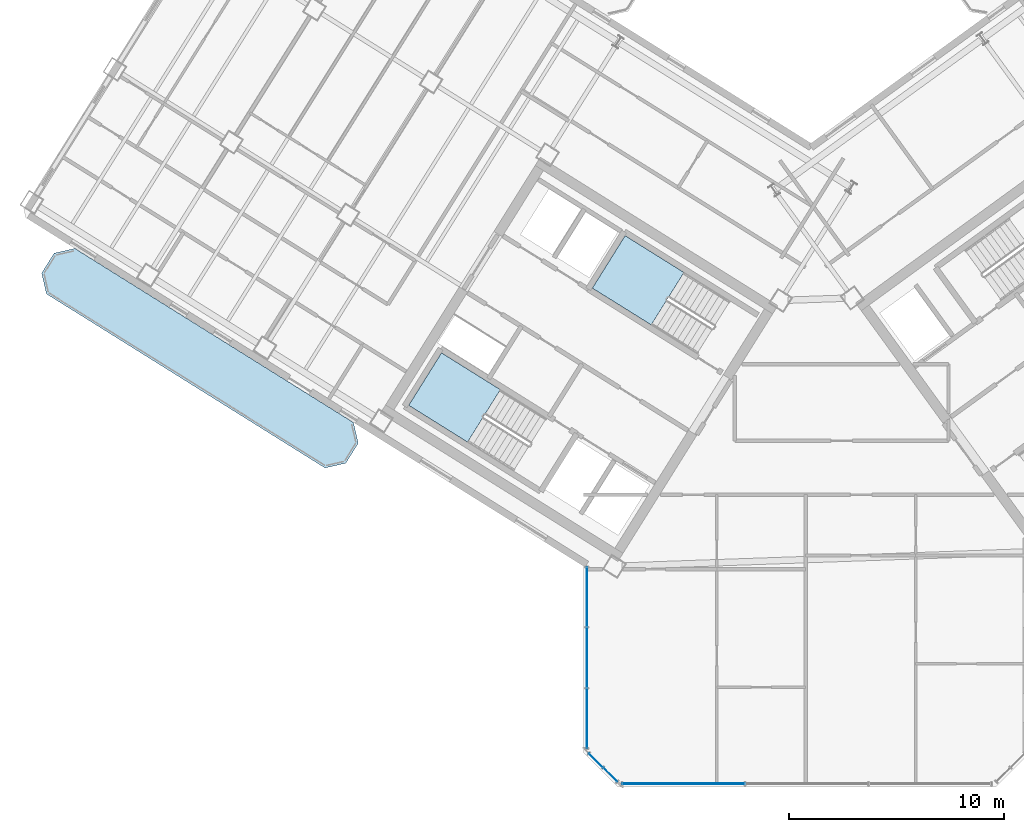
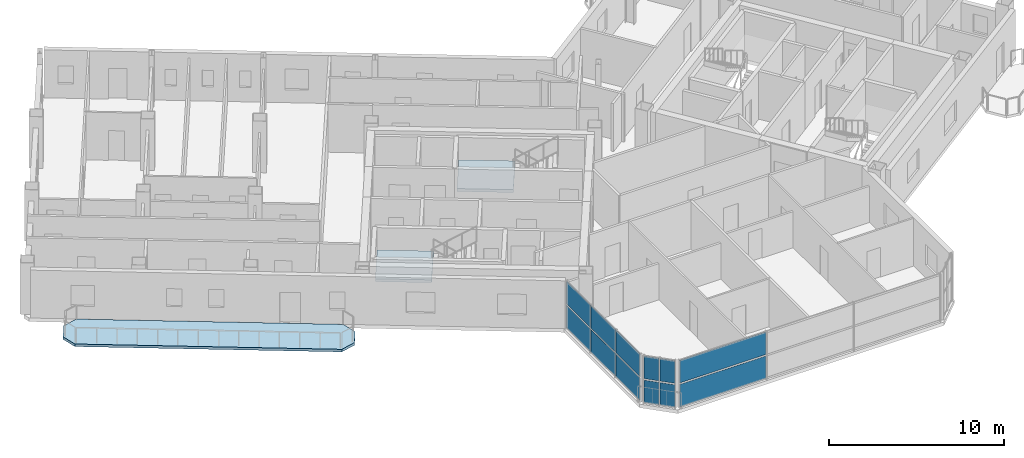
# One storey, part 8 of 20: 12 plates, 3 slabs, 5 elements without a shape of their own.
"""IFC4 building model written with IfcOpenShell, lengths in metres."""

from ifc_helpers import new_model, si_unit, direction, frame, origin, origin_2d, place, context, subcontext, project, spatial, polyline, rectangle, outline, extrude, source, transform, mapped, material, layer, layer_set, type_object, element, aggregate, save


model = new_model("IFC4")

# Units and contexts
model_context = context("Model", 3, precision=1e-05, world=origin(), true_north=direction((0.0, 1.0)))
body_context = subcontext(model_context, "Body", "Model", "MODEL_VIEW")
ifc_project = project(units=[si_unit("LENGTHUNIT", "METRE"), si_unit("AREAUNIT", "SQUARE_METRE"), si_unit("VOLUMEUNIT", "CUBIC_METRE"), si_unit("PLANEANGLEUNIT", "RADIAN"), si_unit("MASSUNIT", "GRAM", prefix="KILO")], contexts=[model_context])

# Site, building, storey
site_placement = place(None, origin())
site = spatial("IfcSite", under=ifc_project, at=site_placement, CompositionType="ELEMENT")
building_placement = place(site_placement, origin())
building = spatial("IfcBuilding", under=site, at=building_placement, Name="Tlacorven Tower", CompositionType="ELEMENT")
storey_placement = place(building_placement, frame((0.0, 0.0, 225.60009765625)))
storey = spatial("IfcBuildingStorey", under=building, at=storey_placement, Name="L57", CompositionType="ELEMENT", Elevation=225.60009765625)

# Slab
ifc_material_1 = material(Name="Precast concrete C45/55", Category="concrete")
ifc_layer_1 = layer(ifc_material_1, 0.179931640625)
ifc_layer_set_1 = layer_set([ifc_layer_1], Name="Precast concrete C45/55")
slab_type_1 = type_object("IfcSlabType", Name="SL-BAL-180", PredefinedType="USERDEFINED", material=ifc_layer_set_1)
slab_1_placement = place(storey_placement, frame((0.0, 0.0, -0.18017578125)))
element("IfcSlab", 1, at=slab_1_placement, inside=storey, type_object=slab_type_1, Name="L57 West Wing Balcony Ribbon OUT", ObjectType="BALCONY SLAB", PredefinedType="USERDEFINED", context=body_context, shape_type="SweptSolid", body=[
    extrude(outline(polyline([(20.88671875, 18.78271484375), (7.91162109375, 26.890625), (6.947021484375, 26.66796875), (6.366943359375, 25.7392578125), (6.589599609375, 24.774658203125), (19.564697265625, 16.6669921875), (20.529296875, 16.8896484375), (21.109375, 17.818115234375), (20.88671875, 18.78271484375)])), origin(), (0.0, 0.0, 1.0), 0.18017578125),
])

# Stair, slab
ifc_material_2 = material(Name="Concrete C40/50", Category="concrete")
stair_type = type_object("IfcStairType", Name="ST-CORE-DLG", PredefinedType="HALF_TURN_STAIR", material=ifc_material_2)
stair_1_placement = place(storey_placement, origin())
stair_1 = element("IfcStair", 2, at=stair_1_placement, inside=storey, type_object=stair_type, Name="L57 Protected Exit Stair West 1", PredefinedType="HALF_TURN_STAIR")
ifc_layer_2 = layer(ifc_material_2, 0.199951171875)
ifc_layer_set_2 = layer_set([ifc_layer_2], Name="Concrete C40/50")
slab_type_2 = type_object("IfcSlabType", Name="SL-LND-200", PredefinedType="LANDING", material=ifc_layer_set_2)
slab_2_placement = place(storey_placement, frame((0.0, 0.0, 1.599853515625)))
slab_2 = element("IfcSlab", 3, at=slab_2_placement, type_object=slab_type_2, Name="ST-W1 landing 1", PredefinedType="LANDING", context=body_context, shape_type="SweptSolid", body=[
    extrude(outline(polyline([(27.728515625, 20.315185546875), (24.9892578125, 22.02685546875), (23.463134765625, 19.58447265625), (26.2021484375, 17.872802734375), (27.728515625, 20.315185546875)])), origin(), (0.0, 0.0, 1.0), 0.199951171875),
])
aggregate(stair_1, [slab_2])

stair_2_placement = place(storey_placement, origin())
stair_2 = element("IfcStair", 4, at=stair_2_placement, inside=storey, type_object=stair_type, Name="L57 Protected Exit Stair West 2", PredefinedType="HALF_TURN_STAIR")
slab_3_placement = place(storey_placement, frame((0.0, 0.0, 1.599853515625)))
slab_3 = element("IfcSlab", 5, at=slab_3_placement, type_object=slab_type_2, Name="ST-W2 landing 1", PredefinedType="LANDING", context=body_context, shape_type="SweptSolid", body=[
    extrude(outline(polyline([(36.280029296875, 25.772705078125), (33.540771484375, 27.484375), (32.0146484375, 25.0419921875), (34.75390625, 23.33056640625), (36.280029296875, 25.772705078125)])), origin(), (0.0, 0.0, 1.0), 0.199951171875),
])
aggregate(stair_2, [slab_3])

# Curtain wall, plates
ifc_material_3 = material(Name="Dark solar low-E double glazing in aluminium frame", Category="aluminium")
curtain_wall_type = type_object("IfcCurtainWallType", Name="CW-TWR-HIGH", PredefinedType="USERDEFINED", material=ifc_material_3)
curtain_wall_1_placement = place(storey_placement, origin())
curtain_wall_1 = element("IfcCurtainWall", 6, at=curtain_wall_1_placement, inside=storey, type_object=curtain_wall_type, Name="L57 CW-TWR-HIGH Curtain Wall 259", ObjectType="UNITISED CURTAIN WALL", PredefinedType="USERDEFINED")
ifc_material_4 = material(Name="High-wind dark solar tempered low-E glazing", Category="glass")
ifc_layer_3 = layer(ifc_material_4, 0.028076171875)
ifc_layer_set_3 = layer_set([ifc_layer_3], Name="High-wind dark solar tempered low-E glazing")
plate_type = type_object("IfcPlateType", Name="CWP-03", PredefinedType="CURTAIN_PANEL", material=ifc_layer_set_3)
shared_shape_1 = source(origin(), body_context, "Body", "SweptSolid", [
    extrude(rectangle(XDim=0.89306640625, YDim=0.028076171875, at=origin_2d()), origin(), (0.0, 0.0, 1.0), 1.572998046875),
])
plate_1_placement = place(storey_placement, frame((32.84375, 2.382568359375, 0.05078125), z_axis=(0.0, 0.0, 1.0), x_axis=(-0.707106781187, 0.707106781187, 0.0)))
plate_1 = element("IfcPlate", 7, at=plate_1_placement, type_object=plate_type, Name="CW-L57-259 Glazing Panel 1", PredefinedType="CURTAIN_PANEL", context=body_context, shape_type="MappedRepresentation", body=[
    mapped(shared_shape_1, transform((0.0, 0.0, 0.0), scale=1.0)),
])
plate_2_placement = place(storey_placement, frame((32.84375, 2.382568359375, 1.72607421875), z_axis=(0.0, 0.0, 1.0), x_axis=(-0.707106781187, 0.707106781187, 0.0)))
plate_2 = element("IfcPlate", 8, at=plate_2_placement, type_object=plate_type, Name="CW-L57-259 Glazing Panel 2", PredefinedType="CURTAIN_PANEL", context=body_context, shape_type="MappedRepresentation", body=[
    mapped(shared_shape_1, transform((0.0, 0.0, 0.0), scale=1.0)),
])
plate_3_placement = place(storey_placement, frame((32.1826171875, 3.043701171875, 0.05078125), z_axis=(0.0, 0.0, 1.0), x_axis=(-0.707106781187, 0.707106781187, 0.0)))
plate_3 = element("IfcPlate", 9, at=plate_3_placement, type_object=plate_type, Name="CW-L57-259 Glazing Panel 3", PredefinedType="CURTAIN_PANEL", context=body_context, shape_type="MappedRepresentation", body=[
    mapped(shared_shape_1, transform((0.0, 0.0, 0.0), scale=1.0)),
])
plate_4_placement = place(storey_placement, frame((32.1826171875, 3.043701171875, 1.72607421875), z_axis=(0.0, 0.0, 1.0), x_axis=(-0.707106781187, 0.707106781187, 0.0)))
plate_4 = element("IfcPlate", 10, at=plate_4_placement, type_object=plate_type, Name="CW-L57-259 Glazing Panel 4", PredefinedType="CURTAIN_PANEL", context=body_context, shape_type="MappedRepresentation", body=[
    mapped(shared_shape_1, transform((0.0, 0.0, 0.0), scale=1.0)),
])
aggregate(curtain_wall_1, [plate_1, plate_2, plate_3, plate_4])

curtain_wall_2_placement = place(storey_placement, origin())
curtain_wall_2 = element("IfcCurtainWall", 11, at=curtain_wall_2_placement, inside=storey, type_object=curtain_wall_type, Name="L57 CW-TWR-HIGH Curtain Wall 258", ObjectType="UNITISED CURTAIN WALL", PredefinedType="USERDEFINED")
shared_shape_2 = source(origin(), body_context, "Body", "SweptSolid", [
    extrude(rectangle(XDim=5.683837890625, YDim=0.028076171875, at=origin_2d()), origin(), (0.0, 0.0, 1.0), 1.572998046875),
])
plate_5_placement = place(storey_placement, frame((36.25927734375, 1.9599609375, 0.05078125), z_axis=(0.0, 0.0, 1.0), x_axis=(-1.0, 0.0, 0.0)))
plate_5 = element("IfcPlate", 12, at=plate_5_placement, type_object=plate_type, Name="CW-L57-258 Glazing Panel 5", PredefinedType="CURTAIN_PANEL", context=body_context, shape_type="MappedRepresentation", body=[
    mapped(shared_shape_2, transform((0.0, 0.0, 0.0), scale=1.0)),
])
plate_6_placement = place(storey_placement, frame((36.25927734375, 1.9599609375, 1.72607421875), z_axis=(0.0, 0.0, 1.0), x_axis=(-1.0, 0.0, 0.0)))
plate_6 = element("IfcPlate", 13, at=plate_6_placement, type_object=plate_type, Name="CW-L57-258 Glazing Panel 6", PredefinedType="CURTAIN_PANEL", context=body_context, shape_type="MappedRepresentation", body=[
    mapped(shared_shape_2, transform((0.0, 0.0, 0.0), scale=1.0)),
])
aggregate(curtain_wall_2, [plate_5, plate_6])

curtain_wall_3_placement = place(storey_placement, origin())
curtain_wall_3 = element("IfcCurtainWall", 14, at=curtain_wall_3_placement, inside=storey, type_object=curtain_wall_type, Name="L57 CW-TWR-HIGH Curtain Wall 260", ObjectType="UNITISED CURTAIN WALL", PredefinedType="USERDEFINED")
shared_shape_3 = source(origin(), body_context, "Body", "SweptSolid", [
    extrude(rectangle(XDim=2.766845703125, YDim=0.028076171875, at=origin_2d()), origin(), (0.0, 0.0, 1.0), 1.572998046875),
])
plate_7_placement = place(storey_placement, frame((31.760009765625, 5.000732421875, 0.05078125), z_axis=(0.0, 0.0, 1.0), x_axis=(0.0, 1.0, 0.0)))
plate_7 = element("IfcPlate", 15, at=plate_7_placement, type_object=plate_type, Name="CW-L57-260 Glazing Panel 1", PredefinedType="CURTAIN_PANEL", context=body_context, shape_type="MappedRepresentation", body=[
    mapped(shared_shape_3, transform((0.0, 0.0, 0.0), scale=1.0)),
])
plate_8_placement = place(storey_placement, frame((31.760009765625, 5.000732421875, 1.72607421875), z_axis=(0.0, 0.0, 1.0), x_axis=(0.0, 1.0, 0.0)))
plate_8 = element("IfcPlate", 16, at=plate_8_placement, type_object=plate_type, Name="CW-L57-260 Glazing Panel 2", PredefinedType="CURTAIN_PANEL", context=body_context, shape_type="MappedRepresentation", body=[
    mapped(shared_shape_3, transform((0.0, 0.0, 0.0), scale=1.0)),
])
plate_9_placement = place(storey_placement, frame((31.760009765625, 10.648681640625, 0.05078125), z_axis=(0.0, 0.0, 1.0), x_axis=(0.0, 1.0, 0.0)))
plate_9 = element("IfcPlate", 17, at=plate_9_placement, type_object=plate_type, Name="CW-L57-260 Glazing Panel 5", PredefinedType="CURTAIN_PANEL", context=body_context, shape_type="MappedRepresentation", body=[
    mapped(shared_shape_3, transform((0.0, 0.0, 0.0), scale=1.0)),
])
plate_10_placement = place(storey_placement, frame((31.760009765625, 10.648681640625, 1.72607421875), z_axis=(0.0, 0.0, 1.0), x_axis=(0.0, 1.0, 0.0)))
plate_10 = element("IfcPlate", 18, at=plate_10_placement, type_object=plate_type, Name="CW-L57-260 Glazing Panel 6", PredefinedType="CURTAIN_PANEL", context=body_context, shape_type="MappedRepresentation", body=[
    mapped(shared_shape_3, transform((0.0, 0.0, 0.0), scale=1.0)),
])
shared_shape_4 = source(origin(), body_context, "Body", "SweptSolid", [
    extrude(rectangle(XDim=2.796875, YDim=0.028076171875, at=origin_2d()), origin(), (0.0, 0.0, 1.0), 1.572998046875),
])
plate_11_placement = place(storey_placement, frame((31.760009765625, 7.82470703125, 0.05078125), z_axis=(0.0, 0.0, 1.0), x_axis=(0.0, 1.0, 0.0)))
plate_11 = element("IfcPlate", 19, at=plate_11_placement, type_object=plate_type, Name="CW-L57-260 Glazing Panel 3", PredefinedType="CURTAIN_PANEL", context=body_context, shape_type="MappedRepresentation", body=[
    mapped(shared_shape_4, transform((0.0, 0.0, 0.0), scale=1.0)),
])
plate_12_placement = place(storey_placement, frame((31.760009765625, 7.82470703125, 1.72607421875), z_axis=(0.0, 0.0, 1.0), x_axis=(0.0, 1.0, 0.0)))
plate_12 = element("IfcPlate", 20, at=plate_12_placement, type_object=plate_type, Name="CW-L57-260 Glazing Panel 4", PredefinedType="CURTAIN_PANEL", context=body_context, shape_type="MappedRepresentation", body=[
    mapped(shared_shape_4, transform((0.0, 0.0, 0.0), scale=1.0)),
])
aggregate(curtain_wall_3, [plate_7, plate_8, plate_11, plate_12, plate_9, plate_10])

save(model, "model.ifc")
